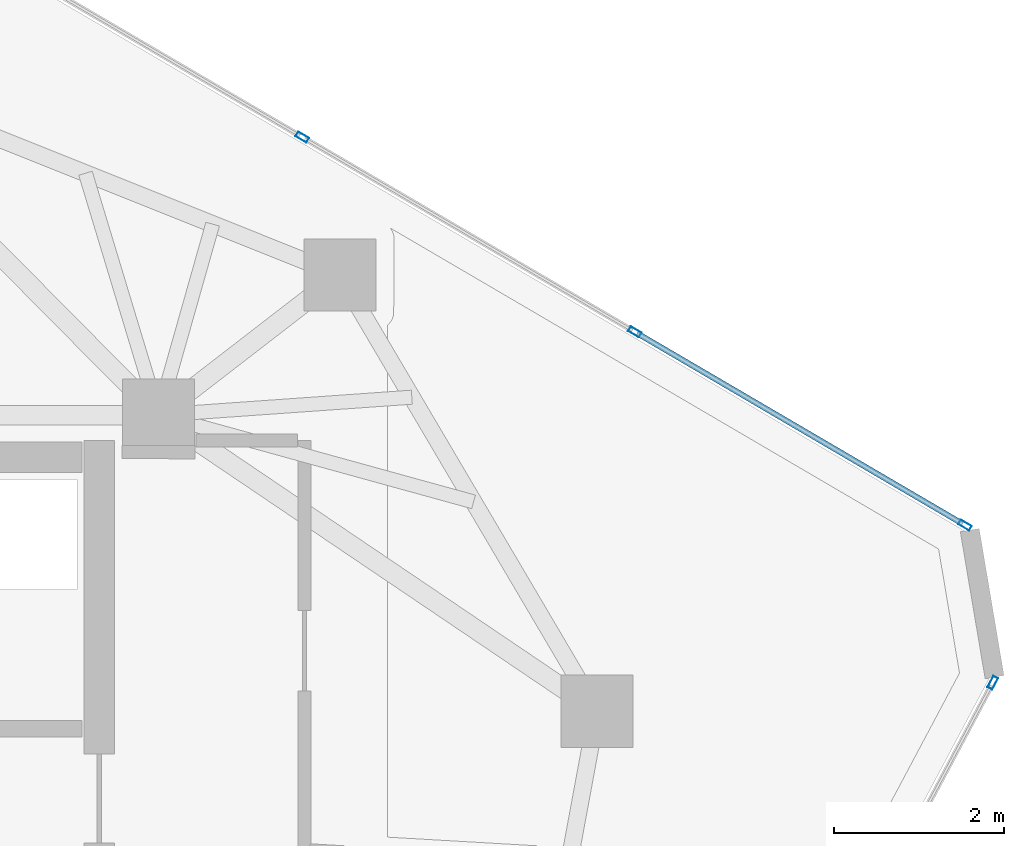
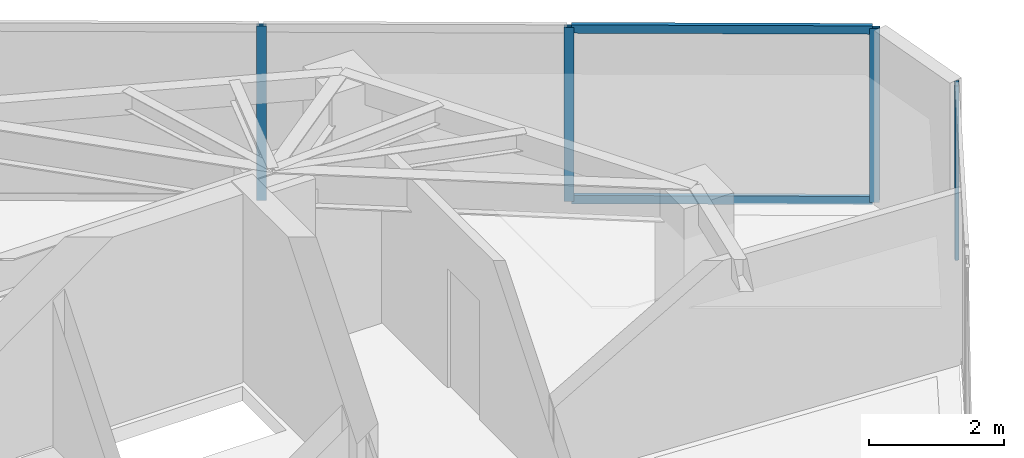
# One storey, part 14 of 19: 6 members, 2 elements without a shape of their own.
"""IFC4 building model written with IfcOpenShell, lengths in metres."""

import ifcopenshell
import ifcopenshell.guid

model = None  # the IFC model being written
_history = None  # IfcOwnerHistory: only IFC2X3 demands one
_inside = {}  # id of a spatial element -> (the spatial element, [elements in it])
_under = {}  # id of a project, library or spatial element -> (it, [spatial elements below it])
_declared = {}  # id of a project -> (the project, [libraries it declares])
_typed = {}  # id of a type object -> (the type object, [elements of that type])
_made_of = {}  # id of a material, layer set ... -> (it, [elements and type objects made of it])


def new_model(schema):
    """Start an empty IFC model of exactly this schema.

    Asked for "IFC4X3", IfcOpenShell would pick the latest addendum, in which some entities
    have other attributes; the version numbers below select the first issue.
    IFC2X3 requires an IfcOwnerHistory on every rooted entity: one is made here for all.
    """
    global model, _history
    if schema == "IFC4X3":
        model = ifcopenshell.file(schema_version=(4, 3, 0, 0))
    else:
        model = ifcopenshell.file(schema=schema)
    _inside.clear()
    _under.clear()
    _declared.clear()
    _typed.clear()
    _made_of.clear()
    _history = None
    if model.schema == "IFC2X3":
        org = make("IfcOrganization", Name="unknown")
        user = make(
            "IfcPersonAndOrganization",
            ThePerson=make("IfcPerson", FamilyName="unknown"),
            TheOrganization=org,
        )
        app = make(
            "IfcApplication",
            ApplicationDeveloper=org,
            Version="unknown",
            ApplicationFullName="unknown",
            ApplicationIdentifier="unknown",
        )
        _history = make(
            "IfcOwnerHistory",
            OwningUser=user,
            OwningApplication=app,
            ChangeAction="ADDED",
            CreationDate=0,
        )
    return model


def make(cls, **values):
    """One entity of the class cls with the attributes given. An attribute that is None is left unset."""
    return model.create_entity(
        cls, **{name: value for name, value in values.items() if value is not None}
    )


def rooted(cls, **values):
    """An entity with a GlobalId (a new one), such as an element, a storey or a relation."""
    return make(cls, GlobalId=ifcopenshell.guid.new(), OwnerHistory=_history, **values)


def si_unit(unit_type, name, prefix=None):
    """IfcSIUnit, for example si_unit("LENGTHUNIT", "METRE", prefix="MILLI")."""
    return make("IfcSIUnit", UnitType=unit_type, Prefix=prefix, Name=name)


def assignment(units):
    """IfcUnitAssignment: the units of a project."""
    return None if units is None else make("IfcUnitAssignment", Units=units)


def point(xyz):
    """IfcCartesianPoint."""
    return None if xyz is None else make("IfcCartesianPoint", Coordinates=xyz)


def direction(xyz):
    """IfcDirection."""
    return None if xyz is None else make("IfcDirection", DirectionRatios=xyz)


def frame(location, z_axis=None, x_axis=None):
    """IfcAxis2Placement3D, a coordinate frame: its origin and axes. An axis left out is left unset."""
    return make(
        "IfcAxis2Placement3D",
        Location=point(location),
        Axis=direction(z_axis),
        RefDirection=direction(x_axis),
    )


def frame_2d(location, x_axis=None):
    """IfcAxis2Placement2D, a coordinate frame in the plane: its origin and x axis."""
    return make(
        "IfcAxis2Placement2D", Location=point(location), RefDirection=direction(x_axis)
    )


def origin():
    """The frame at (0, 0, 0) with its axes left unset."""
    return frame((0.0, 0.0, 0.0))


def origin_2d():
    """The frame at (0, 0) in the plane with its x axis left unset."""
    return frame_2d((0.0, 0.0))


def place(relative_to, where):
    """IfcLocalPlacement: puts the frame where relative to a parent placement (None: the world)."""
    return make(
        "IfcLocalPlacement", PlacementRelTo=relative_to, RelativePlacement=where
    )


def context(
    kind, dimensions, precision=None, world=None, true_north=None, identifier=None
):
    """IfcGeometricRepresentationContext, for example the 3D "Model" context."""
    return make(
        "IfcGeometricRepresentationContext",
        ContextIdentifier=identifier,
        ContextType=kind,
        CoordinateSpaceDimension=dimensions,
        Precision=precision,
        WorldCoordinateSystem=world,
        TrueNorth=true_north,
    )


def subcontext(parent, identifier, kind, view, scale=None):
    """IfcGeometricRepresentationSubContext, for example "Body" below "Model"."""
    return make(
        "IfcGeometricRepresentationSubContext",
        ContextIdentifier=identifier,
        ContextType=kind,
        ParentContext=parent,
        TargetScale=scale,
        TargetView=view,
    )


def project(units=None, contexts=None):
    """IfcProject with its units and contexts."""
    return rooted(
        "IfcProject",
        Name="project",
        RepresentationContexts=contexts,
        UnitsInContext=assignment(units),
    )


def spatial(cls, under=None, at=None, **own):
    """A site, building, storey or space (cls), placed at a placement, below another one or the project."""
    s = rooted(cls, ObjectPlacement=at, **own)
    if under is not None:
        _under.setdefault(under.id(), (under, []))[1].append(s)
    return s


def profile(cls, at=None, kind="AREA", **sizes):
    """A parametric profile (cls). Its sizes go by their IFC names, for example OverallWidth=200.0."""
    return make(cls, ProfileType=kind, Position=at, **sizes)


def hollow_rectangle(**sizes):
    """IfcRectangleHollowProfileDef."""
    return profile("IfcRectangleHollowProfileDef", **sizes)


def extrude(swept, where, along, depth):
    """IfcExtrudedAreaSolid: the profile swept, set in the frame where, extruded along a direction by depth."""
    return make(
        "IfcExtrudedAreaSolid",
        SweptArea=swept,
        Position=where,
        ExtrudedDirection=direction(along),
        Depth=depth,
    )


def shape(context_of_items, identifier, shape_type, items):
    """IfcShapeRepresentation: the items that make up one representation, for example the "Body"."""
    return make(
        "IfcShapeRepresentation",
        ContextOfItems=context_of_items,
        RepresentationIdentifier=identifier,
        RepresentationType=shape_type,
        Items=items,
    )


def source(mapping_origin, context_of_items, identifier, shape_type, items):
    """IfcRepresentationMap: a shape defined once, which mapped items show again and again."""
    return make(
        "IfcRepresentationMap",
        MappingOrigin=mapping_origin,
        MappedRepresentation=shape(context_of_items, identifier, shape_type, items),
    )


def transform(
    local_origin,
    x_axis=None,
    y_axis=None,
    z_axis=None,
    scale=None,
    scale2=None,
    scale3=None,
    uniform=True,
):
    """IfcCartesianTransformationOperator3D, or its non-uniform kind. x_axis, y_axis, z_axis: its Axis1, 2, 3."""
    if uniform:
        return make(
            "IfcCartesianTransformationOperator3D",
            Axis1=direction(x_axis),
            Axis2=direction(y_axis),
            LocalOrigin=point(local_origin),
            Scale=scale,
            Axis3=direction(z_axis),
        )
    return make(
        "IfcCartesianTransformationOperator3DnonUniform",
        Axis1=direction(x_axis),
        Axis2=direction(y_axis),
        LocalOrigin=point(local_origin),
        Scale=scale,
        Axis3=direction(z_axis),
        Scale2=scale2,
        Scale3=scale3,
    )


def mapped(mapping_source, mapping_target):
    """IfcMappedItem: shows the shape of a source again, moved by a transform."""
    return make(
        "IfcMappedItem", MappingSource=mapping_source, MappingTarget=mapping_target
    )


def material(Name=None, Category=None):
    """IfcMaterial."""
    return make("IfcMaterial", Name=Name, Category=Category)


def layer(
    of_material, thickness, ventilated=None, Name=None, Category=None, Priority=None
):
    """IfcMaterialLayer: one layer of a wall or slab, of a material (None: an air gap)."""
    return make(
        "IfcMaterialLayer",
        Material=of_material,
        LayerThickness=thickness,
        IsVentilated=ventilated,
        Name=Name,
        Category=Category,
        Priority=Priority,
    )


def layer_set(layers, Name=None):
    """IfcMaterialLayerSet."""
    return make("IfcMaterialLayerSet", MaterialLayers=layers, LayerSetName=Name)


def material_profile(
    of_material, cross_section, Name=None, Category=None, Priority=None
):
    """IfcMaterialProfile: a cross section and its material."""
    return make(
        "IfcMaterialProfile",
        Name=Name,
        Material=of_material,
        Profile=cross_section,
        Priority=Priority,
        Category=Category,
    )


def profile_set(profiles, Name=None, composite=None):
    """IfcMaterialProfileSet."""
    return make(
        "IfcMaterialProfileSet",
        Name=Name,
        MaterialProfiles=profiles,
        CompositeProfile=composite,
    )


def made_of(thing, what):
    """Note that an element or type object is made of a material, layer set ...; save() writes the relation."""
    if what is not None:
        _made_of.setdefault(what.id(), (what, []))[1].append(thing)
    return thing


def type_object(cls, material=None, **own):
    """A type object (cls), such as IfcWallType, which elements share."""
    return made_of(rooted(cls, **own), material)


def type_shapes(of_type, sources):
    """Give a type object the sources (RepresentationMaps) that its elements show as mapped items."""
    of_type.RepresentationMaps = sources


def element(
    cls,
    number,
    at=None,
    inside=None,
    cuts=None,
    type_object=None,
    material=None,
    context=None,
    identifier="Body",
    shape_type=None,
    held_by="IfcProductDefinitionShape",
    body=None,
    shapes=None,
    **own,
):
    """One element of the class cls, such as IfcWall. Its Tag is "e" and its number.

    at: its placement. inside: the storey or other place that contains it. cuts: it is an
    opening in that element (IfcRelVoidsElement). A single representation is given by context,
    identifier, shape_type and body (its items); several are given by shapes. held_by: the class
    of the entity that holds the representations. save() writes the other relations.
    """
    e = rooted(cls, Tag="e%d" % number, ObjectPlacement=at, **own)
    if body is not None:
        shapes = [shape(context, identifier, shape_type, body)]
    if shapes is not None:
        e.Representation = make(held_by, Representations=shapes)
    if inside is not None:
        _inside.setdefault(inside.id(), (inside, []))[1].append(e)
    if cuts is not None:
        rooted(
            "IfcRelVoidsElement", RelatingBuildingElement=cuts, RelatedOpeningElement=e
        )
    if type_object is not None:
        _typed.setdefault(type_object.id(), (type_object, []))[1].append(e)
    return made_of(e, material)


def aggregate(whole, parts):
    """IfcRelAggregates: a whole, such as a stair, and the parts it consists of."""
    return rooted("IfcRelAggregates", RelatingObject=whole, RelatedObjects=parts)


def save(model, path):
    """Write the relations noted so far, then the file.

    IfcRelAggregates (storeys below a building ...), IfcRelContainedInSpatialStructure (elements
    in a storey), IfcRelDefinesByType, IfcRelAssociatesMaterial and IfcRelDeclares: one each for
    every whole, place, type object, material and project.
    """
    for whole, parts in _under.values():
        aggregate(whole, parts)
    for where, things in _inside.values():
        rooted(
            "IfcRelContainedInSpatialStructure",
            RelatedElements=things,
            RelatingStructure=where,
        )
    for kind, things in _typed.values():
        rooted("IfcRelDefinesByType", RelatedObjects=things, RelatingType=kind)
    for what, things in _made_of.values():
        rooted("IfcRelAssociatesMaterial", RelatedObjects=things, RelatingMaterial=what)
    for by, libraries in _declared.values():
        rooted("IfcRelDeclares", RelatingContext=by, RelatedDefinitions=libraries)
    model.write(path)


model = new_model("IFC4")

# Units and contexts
model_context = context("Model", 3, precision=1e-05, world=origin(), true_north=direction((0.0, 1.0)))
body_context = subcontext(model_context, "Body", "Model", "MODEL_VIEW")
ifc_project = project(units=[si_unit("LENGTHUNIT", "METRE"), si_unit("AREAUNIT", "SQUARE_METRE"), si_unit("VOLUMEUNIT", "CUBIC_METRE"), si_unit("PLANEANGLEUNIT", "RADIAN"), si_unit("MASSUNIT", "GRAM", prefix="KILO")], contexts=[model_context])

# Site, building, storey
site_placement = place(None, origin())
site = spatial("IfcSite", under=ifc_project, at=site_placement, CompositionType="ELEMENT")
building_placement = place(site_placement, origin())
building = spatial("IfcBuilding", under=site, at=building_placement, Name="Talar Marvaseh", CompositionType="ELEMENT")
storey_placement = place(building_placement, frame((0.0, 0.0, 288.39990234375)))
storey = spatial("IfcBuildingStorey", under=building, at=storey_placement, Name="L77", CompositionType="ELEMENT", Elevation=288.39990234375)

# Curtain wall, members
ifc_material = material(Name="Architectural Aluminium", Category="aluminium")
ifc_layer = layer(ifc_material, 0.179931640625)
ifc_layer_set = layer_set([ifc_layer], Name="Architectural Aluminium")
curtain_wall_type = type_object("IfcCurtainWallType", Name="Unitised High-Wind Sky Curtain Wall Z4", PredefinedType="NOTDEFINED", material=ifc_layer_set)
curtain_wall_1_placement = place(storey_placement, origin())
curtain_wall_1 = element("IfcCurtainWall", 1, at=curtain_wall_1_placement, inside=storey, type_object=curtain_wall_type, Name="L77 Unitised High-Wind Sky Curtain Wall Z4", PredefinedType="NOTDEFINED")
ifc_material_profile_1 = material_profile(ifc_material, hollow_rectangle(XDim=0.06494140625, YDim=0.14990234375, WallThickness=0.00390625, at=origin_2d()), Name="RHS150x65x4")
ifc_profile_set_1 = profile_set([ifc_material_profile_1], Name="Architectural Aluminium")
member_type_1 = type_object("IfcMemberType", Name="Unitised Curtain Wall Slim Transom RHS150x65x4", PredefinedType="USERDEFINED", material=ifc_profile_set_1)
shared_shape_1 = source(origin(), body_context, "Body", "SweptSolid", [
    extrude(hollow_rectangle(XDim=0.06494140625, YDim=0.14990234375, WallThickness=0.00390625, at=origin_2d()), origin(), (0.0, 0.0, 1.0), 4.447509765625),
])
type_shapes(member_type_1, [shared_shape_1])
member_1_placement = place(storey_placement, frame((38.9443359375, 37.864013671875, 0.03271484375), z_axis=(0.863003378269, -0.50519814835, 0.0), x_axis=(0.50519814835, 0.863003378269, 0.0)))
member_1 = element("IfcMember", 2, at=member_1_placement, type_object=member_type_1, Name="CW-Z4 transom 3.1", ObjectType="TRANSOM", PredefinedType="USERDEFINED", context=body_context, shape_type="MappedRepresentation", body=[
    mapped(shared_shape_1, transform((0.0, 0.0, 0.0), x_axis=(1.0, 0.0, 0.0), y_axis=(0.0, 1.0, 0.0), z_axis=(0.0, 0.0, 1.0), scale=1.0)),
])
member_2_placement = place(storey_placement, frame((38.9443359375, 37.864013671875, 3.107666015625), z_axis=(0.863003378269, -0.50519814835, 0.0), x_axis=(0.50519814835, 0.863003378269, 0.0)))
member_2 = element("IfcMember", 3, at=member_2_placement, type_object=member_type_1, Name="CW-Z4 transom 3.2", ObjectType="TRANSOM", PredefinedType="USERDEFINED", context=body_context, shape_type="MappedRepresentation", body=[
    mapped(shared_shape_1, transform((0.0, 0.0, 0.0), x_axis=(1.0, 0.0, 0.0), y_axis=(0.0, 1.0, 0.0), z_axis=(0.0, 0.0, 1.0), scale=1.0)),
])
ifc_material_profile_2 = material_profile(ifc_material, hollow_rectangle(XDim=0.06494140625, YDim=0.14990234375, WallThickness=0.00390625, at=origin_2d()), Name="RHS150x65x4")
ifc_profile_set_2 = profile_set([ifc_material_profile_2], Name="Architectural Aluminium")
member_type_2 = type_object("IfcMemberType", Name="Unitised Curtain Wall Slim Mullion RHS150x65x4", PredefinedType="MULLION", material=ifc_profile_set_2)
shared_shape_2 = source(origin(), body_context, "Body", "SweptSolid", [
    extrude(hollow_rectangle(XDim=0.06494140625, YDim=0.14990234375, WallThickness=0.00390625, at=origin_2d()), origin(), (0.0, 0.0, 1.0), 3.14013671875),
])
type_shapes(member_type_2, [shared_shape_2])
member_3_placement = place(storey_placement, frame((34.994140625, 40.176513671875, 0.0), z_axis=(0.0, 0.0, 1.0), x_axis=(0.505219303768, 0.862990993638, 0.0)))
member_3 = element("IfcMember", 4, at=member_3_placement, type_object=member_type_2, Name="CW-Z4 mullion 2", PredefinedType="MULLION", context=body_context, shape_type="MappedRepresentation", body=[
    mapped(shared_shape_2, transform((0.0, 0.0, 0.0), x_axis=(1.0, 0.0, 0.0), y_axis=(0.0, 1.0, 0.0), z_axis=(0.0, 0.0, 1.0), scale=1.0)),
])
member_4_placement = place(storey_placement, frame((38.91650390625, 37.88037109375, 0.0), z_axis=(0.0, 0.0, 1.0), x_axis=(0.505219303768, 0.862990993638, 0.0)))
member_4 = element("IfcMember", 5, at=member_4_placement, type_object=member_type_2, Name="CW-Z4 mullion 3", PredefinedType="MULLION", context=body_context, shape_type="MappedRepresentation", body=[
    mapped(shared_shape_2, transform((0.0, 0.0, 0.0), x_axis=(1.0, 0.0, 0.0), y_axis=(0.0, 1.0, 0.0), z_axis=(0.0, 0.0, 1.0), scale=1.0)),
])
member_5_placement = place(storey_placement, frame((42.810546875, 35.600830078125, 0.0), z_axis=(0.0, 0.0, 1.0), x_axis=(0.505219303768, 0.862990993638, 0.0)))
member_5 = element("IfcMember", 6, at=member_5_placement, type_object=member_type_2, Name="CW-Z4 mullion 4", PredefinedType="MULLION", context=body_context, shape_type="MappedRepresentation", body=[
    mapped(shared_shape_2, transform((0.0, 0.0, 0.0), x_axis=(1.0, 0.0, 0.0), y_axis=(0.0, 1.0, 0.0), z_axis=(0.0, 0.0, 1.0), scale=1.0)),
])
aggregate(curtain_wall_1, [member_3, member_4, member_5, member_1, member_2])

# Curtain wall, member
curtain_wall_2_placement = place(storey_placement, origin())
curtain_wall_2 = element("IfcCurtainWall", 7, at=curtain_wall_2_placement, inside=storey, type_object=curtain_wall_type, Name="L77 Unitised High-Wind Sky Curtain Wall Z4", PredefinedType="NOTDEFINED")
member_6_placement = place(storey_placement, frame((43.138427734375, 33.7421875, 0.0), z_axis=(0.0, 0.0, 1.0), x_axis=(0.882877122718, -0.469604073854, 0.0)))
member_6 = element("IfcMember", 8, at=member_6_placement, type_object=member_type_2, Name="CW-Z4 mullion 1", PredefinedType="MULLION", context=body_context, shape_type="MappedRepresentation", body=[
    mapped(shared_shape_2, transform((0.0, 0.0, 0.0), x_axis=(1.0, 0.0, 0.0), y_axis=(0.0, 1.0, 0.0), z_axis=(0.0, 0.0, 1.0), scale=1.0)),
])
aggregate(curtain_wall_2, [member_6])

save(model, "model.ifc")
